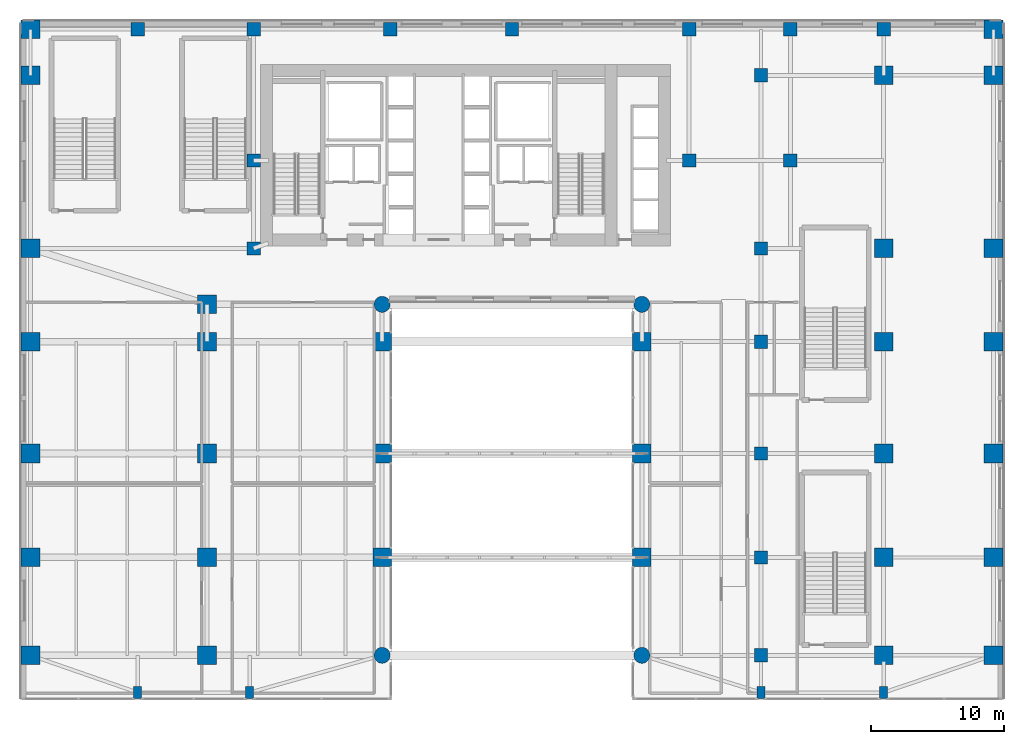
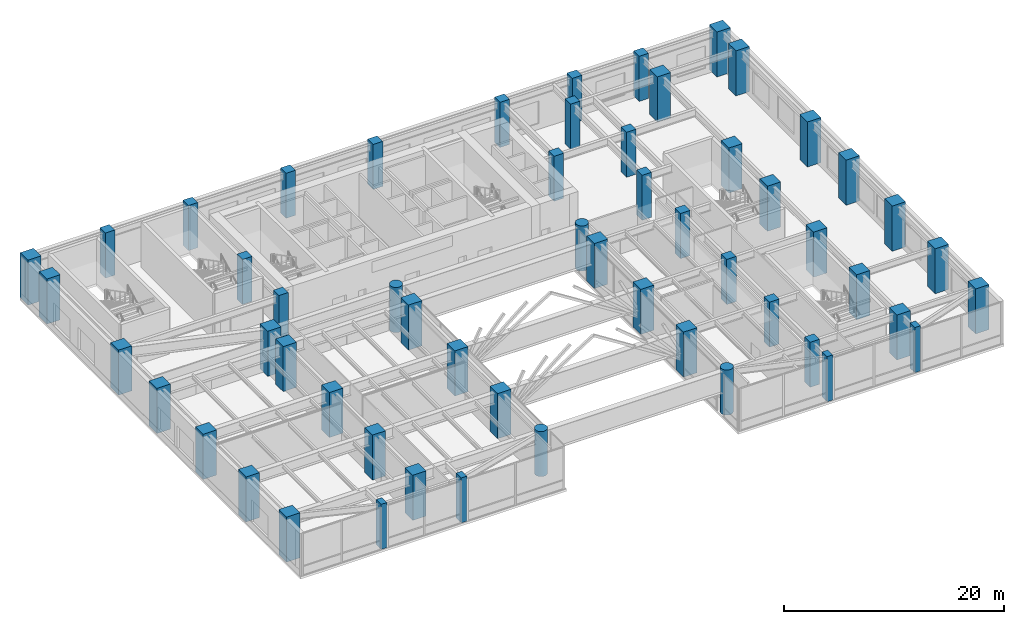
# One storey, part 1 of 39: 56 columns.
"""IFC4 building model written with IfcOpenShell, lengths in metres."""

from ifc_helpers import new_model, si_unit, direction, frame, origin, origin_2d, place, context, subcontext, project, spatial, rectangle, circle, extrude, source, transform, mapped, material, material_profile, profile_set, type_object, type_shapes, element, save


model = new_model("IFC4")

# Units and contexts
model_context = context("Model", 3, precision=1e-05, world=origin(), true_north=direction((0.0, 1.0)))
body_context = subcontext(model_context, "Body", "Model", "MODEL_VIEW")
ifc_project = project(units=[si_unit("LENGTHUNIT", "METRE"), si_unit("AREAUNIT", "SQUARE_METRE"), si_unit("VOLUMEUNIT", "CUBIC_METRE"), si_unit("PLANEANGLEUNIT", "RADIAN"), si_unit("MASSUNIT", "GRAM", prefix="KILO")], contexts=[model_context])

# Site, building, storey
site_placement = place(None, origin())
site = spatial("IfcSite", under=ifc_project, at=site_placement, CompositionType="ELEMENT")
building_placement = place(site_placement, origin())
building = spatial("IfcBuilding", under=site, at=building_placement, Name="Tolvann Quenvar Hotel", CompositionType="ELEMENT")
storey_placement = place(building_placement, frame((0.0, 0.0, 11.0)))
storey = spatial("IfcBuildingStorey", under=building, at=storey_placement, Name="L02", CompositionType="ELEMENT", Elevation=11.0)

# Columns
ifc_material_1 = material(Name="Concrete S80 (80 MPa)", Category="concrete")
ifc_material_profile_1 = material_profile(ifc_material_1, rectangle(XDim=1.39990234375, YDim=1.39990234375, at=origin_2d()), Name="RC1400x1400")
ifc_profile_set_1 = profile_set([ifc_material_profile_1], Name="Concrete S80 (80 MPa)")
column_type_1 = type_object("IfcColumnType", Name="COL_RC1400", PredefinedType="COLUMN", material=ifc_profile_set_1)
shared_shape_1 = source(origin(), body_context, "Body", "SweptSolid", [
    extrude(rectangle(XDim=1.39990234375, YDim=1.39990234375, at=origin_2d()), origin(), (0.0, 0.0, 1.0), 5.0),
])
type_shapes(column_type_1, [shared_shape_1])
for number, where, z_axis, x_axis, name in (
    (1, (-7.64990234375, 0.85009765625, 0.0), (0.0, 0.0, 1.0), (1.0, 0.0, 0.0), "Column PA1 (L02)"),
    (2, (64.64990234375, 0.85009765625, 0.0), (0.0, 0.0, 1.0), (1.0, 0.0, 0.0), "Column PK1 (L02)"),
    (3, (-7.64990234375, 8.199951171875, 0.0), (0.0, 0.0, 1.0), (1.0, 0.0, 0.0), "Column PA2 (L02)"),
    (4, (64.64990234375, 8.199951171875, 0.0), (0.0, 0.0, 1.0), (1.0, 0.0, 0.0), "Column PK2 (L02)"),
    (5, (-7.64990234375, 16.0, 0.0), (0.0, 0.0, 1.0), (1.0, 0.0, 0.0), "Column PA3 (L02)"),
    (6, (64.64990234375, 16.0, 0.0), (0.0, 0.0, 1.0), (1.0, 0.0, 0.0), "Column PK3 (L02)"),
    (7, (-7.64990234375, 24.39990234375, 0.0), (0.0, 0.0, 1.0), (1.0, 0.0, 0.0), "Column PA4 (L02)"),
    (8, (64.64990234375, 24.39990234375, 0.0), (0.0, 0.0, 1.0), (1.0, 0.0, 0.0), "Column PK4 (L02)"),
    (9, (-7.64990234375, 31.39990234375, 0.0), (0.0, 0.0, 1.0), (1.0, 0.0, 0.0), "Column PA5 (L02)"),
    (10, (64.64990234375, 31.39990234375, 0.0), (0.0, 0.0, 1.0), (1.0, 0.0, 0.0), "Column PK5 (L02)"),
    (11, (-7.64990234375, 44.39990234375, 0.0), (0.0, 0.0, 1.0), (1.0, 0.0, 0.0), "Column PA6 (L02)"),
    (12, (64.64990234375, 44.39990234375, 0.0), (0.0, 0.0, 1.0), (1.0, 0.0, 0.0), "Column PK6 (L02)"),
    (13, (-7.64990234375, 47.85009765625, 0.0), (0.0, 0.0, 1.0), (1.0, 0.0, 0.0), "Column PAN (L02)"),
    (14, (64.64990234375, 47.85009765625, 0.0), (0.0, 0.0, 1.0), (1.0, 0.0, 0.0), "Column PKN (L02)"),
    (15, (18.75, 8.199951171875, 0.0), (0.0, 0.0, 1.0), (1.0, 0.0, 0.0), "Column PAPW2 (L02)"),
    (16, (38.25, 8.199951171875, 0.0), (0.0, 0.0, 1.0), (1.0, 0.0, 0.0), "Column PAPE2 (L02)"),
    (17, (18.75, 16.0, 0.0), (0.0, 0.0, 1.0), (1.0, 0.0, 0.0), "Column PAPW3 (L02)"),
    (18, (38.25, 16.0, 0.0), (0.0, 0.0, 1.0), (1.0, 0.0, 0.0), "Column PAPE3 (L02)"),
    (19, (18.75, 24.39990234375, 0.0), (0.0, 0.0, 1.0), (1.0, 0.0, 0.0), "Column PAPW4 (L02)"),
    (20, (38.25, 24.39990234375, 0.0), (0.0, 0.0, 1.0), (1.0, 0.0, 0.0), "Column PAPE4 (L02)"),
    (21, (56.39990234375, 0.85009765625, 0.0), (0.0, 0.0, 1.0), (1.0, 0.0, 0.0), "Column PJ1 (L02)"),
    (22, (56.39990234375, 8.199951171875, 0.0), (0.0, 0.0, 1.0), (1.0, 0.0, 0.0), "Column PJ2 (L02)"),
    (23, (56.39990234375, 16.0, 0.0), (0.0, 0.0, 1.0), (1.0, 0.0, 0.0), "Column PJ3 (L02)"),
    (24, (56.39990234375, 24.39990234375, 0.0), (0.0, 0.0, 1.0), (1.0, 0.0, 0.0), "Column PJ4 (L02)"),
    (25, (56.39990234375, 31.39990234375, 0.0), (0.0, 0.0, 1.0), (1.0, 0.0, 0.0), "Column PJ5 (L02)"),
    (26, (56.39990234375, 44.39990234375, 0.0), (0.0, 0.0, 1.0), (1.0, 0.0, 0.0), "Column PJ6 (L02)"),
    (27, (5.60009765625, 0.85009765625, 0.0), (0.0, 0.0, 1.0), (1.0, 0.0, 0.0), "Column PBAL1 (L02)"),
    (28, (5.60009765625, 8.199951171875, 0.0), (0.0, 0.0, 1.0), (1.0, 0.0, 0.0), "Column PBAL2 (L02)"),
    (29, (5.60009765625, 16.0, 0.0), (0.0, 0.0, 1.0), (1.0, 0.0, 0.0), "Column PBAL3 (L02)"),
    (30, (5.60009765625, 24.39990234375, 0.0), (0.0, 0.0, 1.0), (1.0, 0.0, 0.0), "Column PBAL4 (L02)"),
    (31, (5.60009765625, 27.199951171875, 0.0), (0.0, 0.0, 1.0), (1.0, 0.0, 0.0), "Column PBAL5 (L02)"),
):
    element("IfcColumn", number, at=place(storey_placement, frame(where, z_axis=z_axis, x_axis=x_axis)), inside=storey, type_object=column_type_1, Name=name, PredefinedType="COLUMN", context=body_context, shape_type="MappedRepresentation", body=[
        mapped(shared_shape_1, transform((0.0, 0.0, 0.0), x_axis=(1.0, 0.0, 0.0), y_axis=(0.0, 1.0, 0.0), z_axis=(0.0, 0.0, 1.0), scale=1.0)),
    ])
ifc_material_profile_2 = material_profile(ifc_material_1, circle(Radius=0.60009765625, at=origin_2d()), Name="RCC1200")
ifc_profile_set_2 = profile_set([ifc_material_profile_2], Name="Concrete S80 (80 MPa)")
column_type_2 = type_object("IfcColumnType", Name="COL_RCC1200", PredefinedType="COLUMN", material=ifc_profile_set_2)
shared_shape_2 = source(origin(), body_context, "Body", "SweptSolid", [
    extrude(circle(Radius=0.60009765625, at=origin_2d()), origin(), (0.0, 0.0, 1.0), 5.0),
])
type_shapes(column_type_2, [shared_shape_2])
for number, where, z_axis, x_axis, name in (
    (32, (18.75, 0.85009765625, 0.0), (0.0, 0.0, 1.0), (1.0, 0.0, 0.0), "Column PAPW1 (L02)"),
    (33, (38.25, 0.85009765625, 0.0), (0.0, 0.0, 1.0), (1.0, 0.0, 0.0), "Column PAPE1 (L02)"),
    (34, (18.75, 27.199951171875, 0.0), (0.0, 0.0, 1.0), (1.0, 0.0, 0.0), "Column PAPW5 (L02)"),
    (35, (38.25, 27.199951171875, 0.0), (0.0, 0.0, 1.0), (1.0, 0.0, 0.0), "Column PAPE5 (L02)"),
):
    element("IfcColumn", number, at=place(storey_placement, frame(where, z_axis=z_axis, x_axis=x_axis)), inside=storey, type_object=column_type_2, Name=name, PredefinedType="COLUMN", context=body_context, shape_type="MappedRepresentation", body=[
        mapped(shared_shape_2, transform((0.0, 0.0, 0.0), x_axis=(1.0, 0.0, 0.0), y_axis=(0.0, 1.0, 0.0), z_axis=(0.0, 0.0, 1.0), scale=1.0)),
    ])
ifc_material_2 = material(Name="Concrete S65 (65 MPa)", Category="concrete")
ifc_material_profile_3 = material_profile(ifc_material_2, rectangle(XDim=1.0, YDim=1.0, at=origin_2d()), Name="RC1000x1000")
ifc_profile_set_3 = profile_set([ifc_material_profile_3], Name="Concrete S65 (65 MPa)")
column_type_3 = type_object("IfcColumnType", Name="COL_RC1000", PredefinedType="COLUMN", material=ifc_profile_set_3)
shared_shape_3 = source(origin(), body_context, "Body", "SweptSolid", [
    extrude(rectangle(XDim=1.0, YDim=1.0, at=origin_2d()), origin(), (0.0, 0.0, 1.0), 5.0),
])
type_shapes(column_type_3, [shared_shape_3])
for number, where, z_axis, x_axis, name in (
    (36, (47.199951171875, 0.85009765625, 0.0), (0.0, 0.0, 1.0), (1.0, 0.0, 0.0), "Column PH1 (L02)"),
    (37, (47.199951171875, 8.199951171875, 0.0), (0.0, 0.0, 1.0), (1.0, 0.0, 0.0), "Column PH2 (L02)"),
    (38, (47.199951171875, 16.0, 0.0), (0.0, 0.0, 1.0), (1.0, 0.0, 0.0), "Column PH3 (L02)"),
    (39, (47.199951171875, 24.39990234375, 0.0), (0.0, 0.0, 1.0), (1.0, 0.0, 0.0), "Column PH4 (L02)"),
    (40, (47.199951171875, 31.39990234375, 0.0), (0.0, 0.0, 1.0), (1.0, 0.0, 0.0), "Column PH5 (L02)"),
    (41, (47.199951171875, 44.39990234375, 0.0), (0.0, 0.0, 1.0), (1.0, 0.0, 0.0), "Column PH6 (L02)"),
    (42, (0.39990234375, 47.85009765625, 0.0), (0.0, 0.0, 1.0), (1.0, 0.0, 0.0), "Column PN1 (L02)"),
    (43, (9.10009765625, 47.85009765625, 0.0), (0.0, 0.0, 1.0), (1.0, 0.0, 0.0), "Column PN2 (L02)"),
    (44, (19.35009765625, 47.85009765625, 0.0), (0.0, 0.0, 1.0), (1.0, 0.0, 0.0), "Column PN3 (L02)"),
    (45, (28.5, 47.85009765625, 0.0), (0.0, 0.0, 1.0), (1.0, 0.0, 0.0), "Column PN4 (L02)"),
    (46, (41.800048828125, 47.85009765625, 0.0), (0.0, 0.0, 1.0), (1.0, 0.0, 0.0), "Column PN5 (L02)"),
    (47, (49.39990234375, 47.85009765625, 0.0), (0.0, 0.0, 1.0), (1.0, 0.0, 0.0), "Column PN6 (L02)"),
    (48, (56.39990234375, 47.85009765625, 0.0), (0.0, 0.0, 1.0), (1.0, 0.0, 0.0), "Column PN7 (L02)"),
    (49, (9.10009765625, 38.0, 0.0), (0.0, 0.0, 1.0), (1.0, 0.0, 0.0), "Column PCN (L02)"),
    (50, (41.800048828125, 38.0, 0.0), (0.0, 0.0, 1.0), (1.0, 0.0, 0.0), "Column PHN (L02)"),
    (51, (49.39990234375, 38.0, 0.0), (0.0, 0.0, 1.0), (1.0, 0.0, 0.0), "Column PIN (L02)"),
    (52, (9.10009765625, 31.39990234375, 0.0), (0.0, 0.0, 1.0), (1.0, 0.0, 0.0), "Column PCNS (L02)"),
):
    element("IfcColumn", number, at=place(storey_placement, frame(where, z_axis=z_axis, x_axis=x_axis)), inside=storey, type_object=column_type_3, Name=name, PredefinedType="COLUMN", context=body_context, shape_type="MappedRepresentation", body=[
        mapped(shared_shape_3, transform((0.0, 0.0, 0.0), x_axis=(1.0, 0.0, 0.0), y_axis=(0.0, 1.0, 0.0), z_axis=(0.0, 0.0, 1.0), scale=1.0)),
    ])
ifc_material_3 = material(Name="Concrete N50 (50 MPa)", Category="concrete")
ifc_material_profile_4 = material_profile(ifc_material_3, rectangle(XDim=0.60009765625, YDim=0.89990234375, at=origin_2d()), Name="RC600x900")
ifc_profile_set_4 = profile_set([ifc_material_profile_4], Name="Concrete N50 (50 MPa)")
column_type_4 = type_object("IfcColumnType", Name="COL_PILASTER_600x900", PredefinedType="PILASTER", material=ifc_profile_set_4)
shared_shape_4 = source(origin(), body_context, "Body", "SweptSolid", [
    extrude(rectangle(XDim=0.60009765625, YDim=0.89990234375, at=origin_2d()), origin(), (0.0, 0.0, 1.0), 5.0),
])
type_shapes(column_type_4, [shared_shape_4])
for number, where, z_axis, x_axis, name in (
    (53, (0.39990234375, -1.949951171875, 0.0), (0.0, 0.0, 1.0), (1.0, 0.0, 0.0), "Column PIL-S1 (L02)"),
    (54, (8.800048828125, -1.949951171875, 0.0), (0.0, 0.0, 1.0), (1.0, 0.0, 0.0), "Column PIL-S2 (L02)"),
    (55, (47.199951171875, -1.949951171875, 0.0), (0.0, 0.0, 1.0), (1.0, 0.0, 0.0), "Column PIL-S3 (L02)"),
    (56, (56.39990234375, -1.949951171875, 0.0), (0.0, 0.0, 1.0), (1.0, 0.0, 0.0), "Column PIL-S4 (L02)"),
):
    element("IfcColumn", number, at=place(storey_placement, frame(where, z_axis=z_axis, x_axis=x_axis)), inside=storey, type_object=column_type_4, Name=name, PredefinedType="PILASTER", context=body_context, shape_type="MappedRepresentation", body=[
        mapped(shared_shape_4, transform((0.0, 0.0, 0.0), x_axis=(1.0, 0.0, 0.0), y_axis=(0.0, 1.0, 0.0), z_axis=(0.0, 0.0, 1.0), scale=1.0)),
    ])

save(model, "model.ifc")
